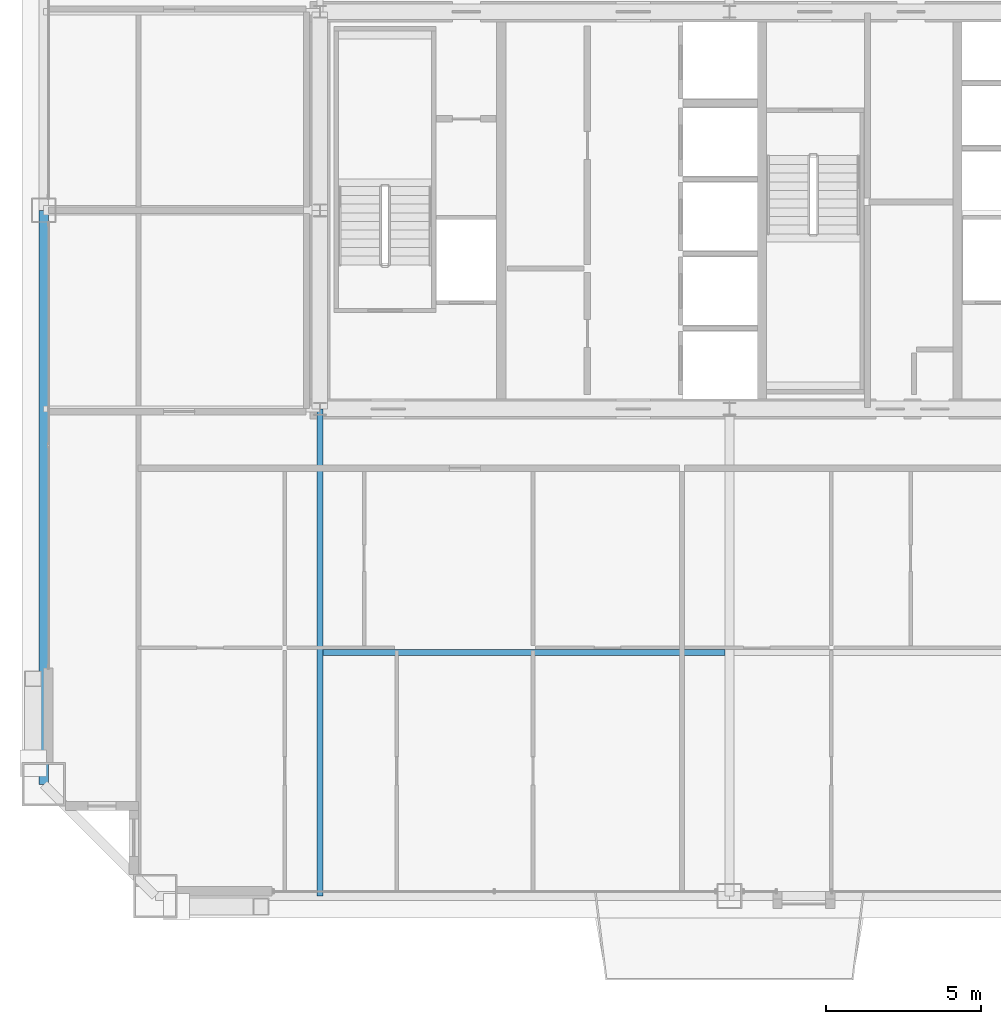
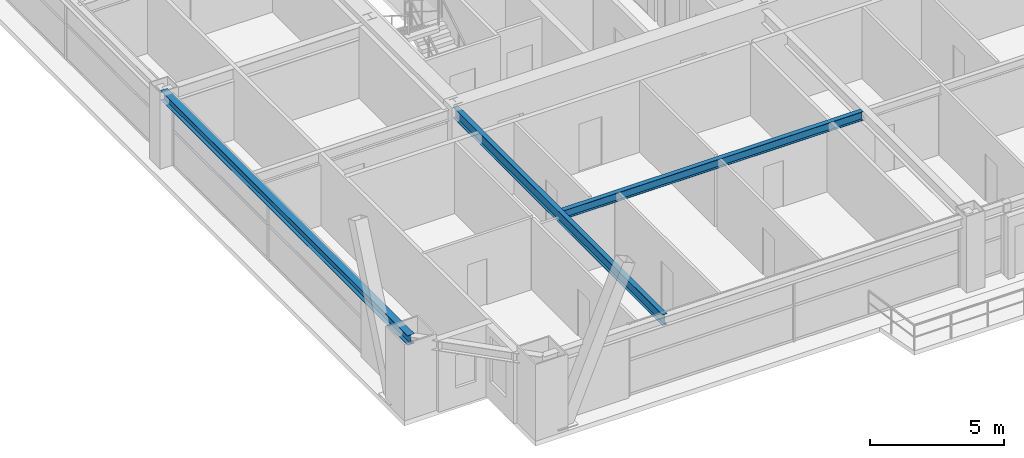
# One storey, part 9 of 45: 3 beams.
"""IFC4 building model written with IfcOpenShell, lengths in metres."""

from ifc_helpers import new_model, si_unit, direction, frame, origin, origin_2d, place, context, subcontext, project, spatial, i_section, extrude, source, transform, mapped, material, material_profile, profile_set, type_object, element, save


model = new_model("IFC4")

# Units and contexts
model_context = context("Model", 3, precision=1e-05, world=origin(), true_north=direction((0.0, 1.0)))
body_context = subcontext(model_context, "Body", "Model", "MODEL_VIEW")
ifc_project = project(units=[si_unit("LENGTHUNIT", "METRE"), si_unit("AREAUNIT", "SQUARE_METRE"), si_unit("VOLUMEUNIT", "CUBIC_METRE"), si_unit("PLANEANGLEUNIT", "RADIAN"), si_unit("MASSUNIT", "GRAM", prefix="KILO"), si_unit("THERMODYNAMICTEMPERATUREUNIT", "KELVIN"), si_unit("POWERUNIT", "WATT")], contexts=[model_context])

# Site, building, storey
site_placement = place(None, origin())
site = spatial("IfcSite", under=ifc_project, at=site_placement, CompositionType="ELEMENT")
building_placement = place(site_placement, origin())
building = spatial("IfcBuilding", under=site, at=building_placement, Name="Yuzanri Waterfront Tower", CompositionType="ELEMENT")
storey_placement = place(building_placement, frame((0.0, 0.0, 212.5)))
storey = spatial("IfcBuildingStorey", under=building, at=storey_placement, Name="L56", CompositionType="ELEMENT", Elevation=212.5)

# Beams
ifc_material_1 = material(Name="Steel Q355B", Category="steel")
ifc_material_profile_1 = material_profile(ifc_material_1, i_section(OverallWidth=0.199951171875, OverallDepth=0.39990234375, WebThickness=0.008056640625, FlangeThickness=0.012939453125, at=origin_2d()), Name="HN 400x200x8x13")
ifc_profile_set_1 = profile_set([ifc_material_profile_1], Name="Steel Q355B")
beam_type_1 = type_object("IfcBeamType", Name="Floor Joist Q355B HN 400x200", PredefinedType="JOIST", material=ifc_profile_set_1)
shared_shape_1 = source(origin(), body_context, "Body", "SweptSolid", [
    extrude(i_section(OverallWidth=0.199951171875, OverallDepth=0.39990234375, WebThickness=0.008056640625, FlangeThickness=0.012939453125, at=origin_2d()), origin(), (0.0, 0.0, 1.0), 12.9501953125),
])
beam_1_placement = place(storey_placement, frame((23.89990234375, 11.550048828125, 3.080078125), z_axis=(1.0, 0.0, 0.0), x_axis=(0.0, 1.0, 0.0)))
element("IfcBeam", 1, at=beam_1_placement, inside=storey, type_object=beam_type_1, Name="L56 South Bay Joist W", PredefinedType="JOIST", context=body_context, shape_type="MappedRepresentation", body=[
    mapped(shared_shape_1, transform((0.0, 0.0, 0.0), scale=1.0)),
])
ifc_material_2 = material(Name="Steel Q355B", Category="steel")
ifc_material_profile_2 = material_profile(ifc_material_2, i_section(OverallWidth=0.300048828125, OverallDepth=0.43994140625, WebThickness=0.010986328125, FlangeThickness=0.01806640625, at=origin_2d()), Name="HM 440x300x11x18")
ifc_profile_set_2 = profile_set([ifc_material_profile_2], Name="Steel Q355B")
beam_type_2 = type_object("IfcBeamType", Name="Perimeter Spandrel Q355B HM 440x300", PredefinedType="SPANDREL", material=ifc_profile_set_2)
shared_shape_2 = source(origin(), body_context, "Body", "SweptSolid", [
    extrude(i_section(OverallWidth=0.300048828125, OverallDepth=0.43994140625, WebThickness=0.010986328125, FlangeThickness=0.01806640625, at=origin_2d()), origin(), (0.0, 0.0, 1.0), 18.5),
])
beam_2_placement = place(storey_placement, frame((14.89990234375, 25.800048828125, 3.06005859375), z_axis=(0.0, -1.0, 0.0), x_axis=(1.0, 0.0, 0.0)))
element("IfcBeam", 2, at=beam_2_placement, inside=storey, type_object=beam_type_2, Name="L56 Perimeter Spandrel W2-W1", PredefinedType="SPANDREL", context=body_context, shape_type="MappedRepresentation", body=[
    mapped(shared_shape_2, transform((0.0, 0.0, 0.0), scale=1.0)),
])
ifc_material_3 = material(Name="Steel Q355B", Category="steel")
ifc_material_profile_3 = material_profile(ifc_material_3, i_section(OverallWidth=0.199951171875, OverallDepth=0.5, WebThickness=0.010009765625, FlangeThickness=0.01611328125, at=origin_2d()), Name="HN 500x200x10x16")
ifc_profile_set_3 = profile_set([ifc_material_profile_3], Name="Steel Q355B")
beam_type_3 = type_object("IfcBeamType", Name="Secondary Floor Beam Q355B HN 500x200", PredefinedType="BEAM", material=ifc_profile_set_3)
shared_shape_3 = source(origin(), body_context, "Body", "SweptSolid", [
    extrude(i_section(OverallWidth=0.199951171875, OverallDepth=0.5, WebThickness=0.010009765625, FlangeThickness=0.01611328125, at=origin_2d()), origin(), (0.0, 0.0, 1.0), 15.699951171875),
])
beam_3_placement = place(storey_placement, frame((23.800048828125, 19.39990234375, 3.030029296875), z_axis=(0.0, -1.0, 0.0), x_axis=(1.0, 0.0, 0.0)))
element("IfcBeam", 3, at=beam_3_placement, inside=storey, type_object=beam_type_3, Name="L56 South-West Core Line Beam", PredefinedType="BEAM", context=body_context, shape_type="MappedRepresentation", body=[
    mapped(shared_shape_3, transform((0.0, 0.0, 0.0), scale=1.0)),
])

save(model, "model.ifc")
